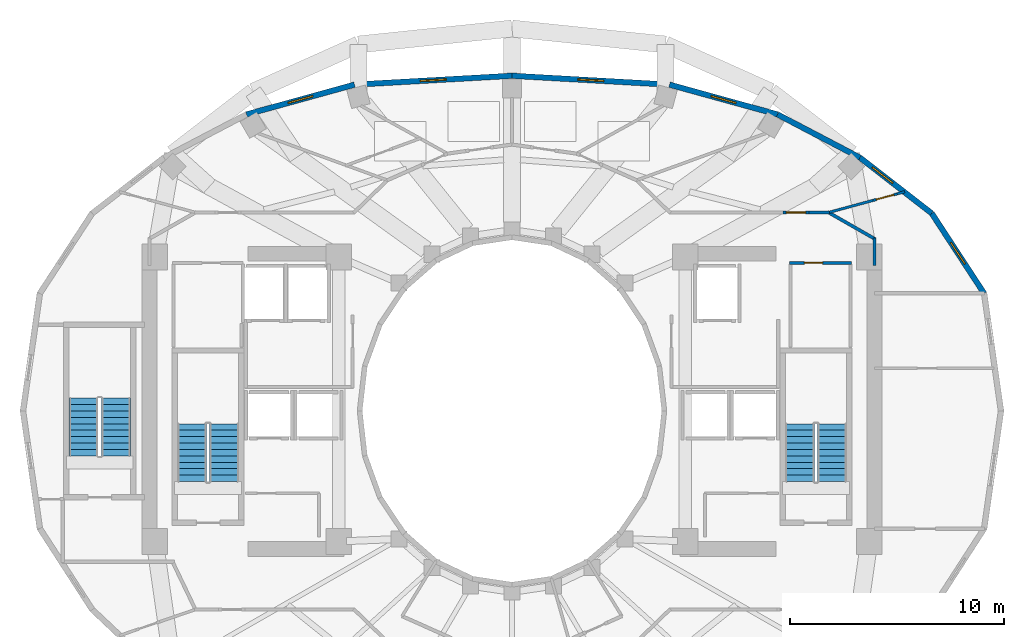
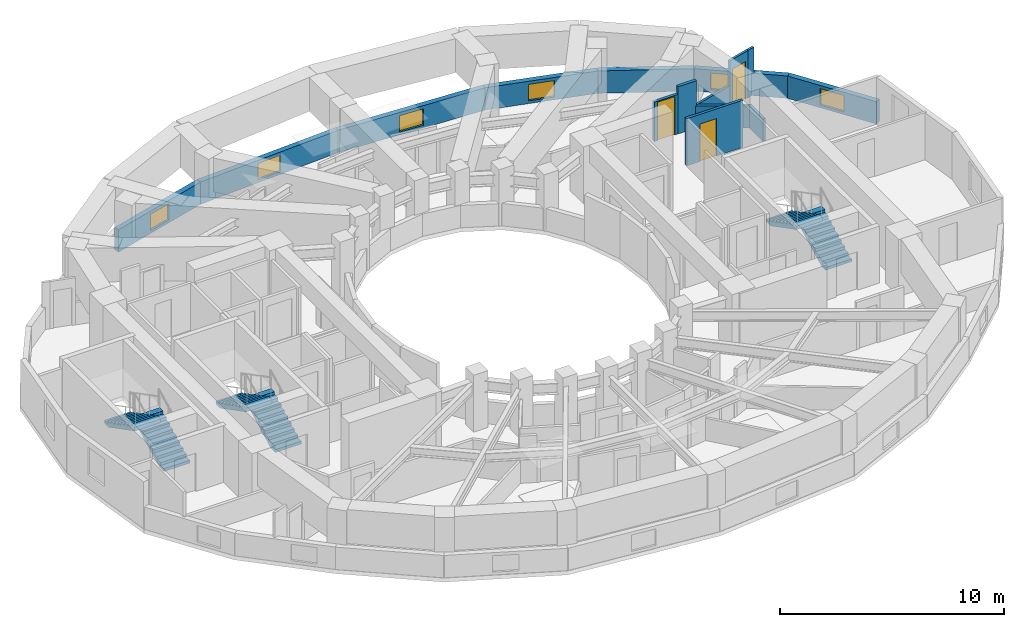
# One storey, part 7 of 9: 15 walls, 6 stair flights, 6 windows, 3 doors, 9 openings, 3 elements without a shape of their own.
"""IFC4 building model written with IfcOpenShell, lengths in metres."""

from ifc_helpers import new_model, si_unit, direction, frame, frame_2d, origin, place, context, subcontext, project, spatial, polyline, rectangle, outline, extrude, material, layer, layer_set, type_object, element, fill, aggregate, save


model = new_model("IFC4")

# Units and contexts
model_context = context("Model", 3, precision=1e-05, world=origin(), true_north=direction((0.0, 1.0)))
body_context = subcontext(model_context, "Body", "Model", "MODEL_VIEW")
ifc_project = project(units=[si_unit("LENGTHUNIT", "METRE"), si_unit("AREAUNIT", "SQUARE_METRE"), si_unit("VOLUMEUNIT", "CUBIC_METRE"), si_unit("PLANEANGLEUNIT", "RADIAN"), si_unit("MASSUNIT", "GRAM", prefix="KILO")], contexts=[model_context])

# Site, building, storey
site_placement = place(None, origin())
site = spatial("IfcSite", under=ifc_project, at=site_placement, CompositionType="ELEMENT")
building_placement = place(site_placement, origin())
building = spatial("IfcBuilding", under=site, at=building_placement, Name="Solvane Sanctuary Tower", CompositionType="ELEMENT")
storey_placement = place(building_placement, frame((0.0, 0.0, 140.5)))
storey = spatial("IfcBuildingStorey", under=building, at=storey_placement, Name="L42", CompositionType="ELEMENT", Elevation=140.5)

# Wall
ifc_material_1 = material(Name="Acoustic Gypsum Partition Board")
ifc_layer_1 = layer(ifc_material_1, 0.14990234375, Name="Acoustic Gypsum Partition Board")
ifc_layer_set_1 = layer_set([ifc_layer_1], Name="Acoustic Gypsum Partition Board")
wall_type_1 = type_object("IfcWallType", Name="Wall W-CORR-150", PredefinedType="PARTITIONING", material=ifc_layer_set_1)
wall_1_placement = place(storey_placement, frame((48.949951171875, 29.800048828125, 0.0), z_axis=(0.0, 0.0, 1.0), x_axis=(0.0, 1.0, 0.0)))
element("IfcWall", 1, at=wall_1_placement, inside=storey, type_object=wall_type_1, Name="L42 NE Corner Closer 1", PredefinedType="PARTITIONING", context=body_context, shape_type="SweptSolid", body=[
    extrude(rectangle(XDim=1.2900390625, YDim=0.14990234375, at=frame_2d((0.64501953125, 0.0))), origin(), (0.0, 0.0, 1.0), 1.219970703125),
])

# Wall, opening, door
wall_2_placement = place(storey_placement, frame((44.665771484375, 32.280029296875, 0.0), z_axis=(0.0, 0.0, 1.0), x_axis=(1.0, 0.0, 0.0)))
wall_2 = element("IfcWall", 2, at=wall_2_placement, inside=storey, type_object=wall_type_1, Name="L42 NE Corner Corridor Wall", PredefinedType="PARTITIONING", context=body_context, shape_type="SweptSolid", body=[
    extrude(rectangle(XDim=1.219970703125, YDim=0.14990234375, at=frame_2d((0.60986328125, 0.0))), origin(), (0.0, 0.0, 1.0), 2.159912109375),
])
opening_1_placement = place(wall_2_placement, frame((0.159912109375, 0.0, 0.0)))
opening_1 = element("IfcOpeningElement", 3, at=opening_1_placement, cuts=wall_2, Name="Opening D-L42-13", PredefinedType="OPENING", context=body_context, shape_type="SweptSolid", body=[
    extrude(rectangle(XDim=0.89990234375, YDim=2.10009765625, at=frame_2d((0.449951171875, 1.050048828125))), frame((0.0, 0.0849609375, 0.0), z_axis=(0.0, -1.0, 0.0), x_axis=(1.0, 0.0, 0.0)), (0.0, 0.0, 1.0), 0.169921875),
])
ifc_material_2 = material(Name="Engineered Tropical Hardwood", Category="wood")
door_type_1 = type_object("IfcDoorType", Name="Door D-WET-900", OperationType="NOTDEFINED", PredefinedType="DOOR", material=ifc_material_2)
door_1_placement = place(opening_1_placement, origin())
door_1 = element("IfcDoor", 4, at=door_1_placement, inside=storey, type_object=door_type_1, Name="L42 NE Corner Salon Door", OperationType="SINGLE_SWING_LEFT", OverallHeight=2.10009765625, OverallWidth=0.89990234375, PredefinedType="DOOR", context=body_context, shape_type="SweptSolid", body=[
    extrude(rectangle(XDim=0.89990234375, YDim=2.10009765625, at=frame_2d((0.449951171875, 1.050048828125))), frame((0.0, 0.02490234375, 0.0), z_axis=(0.0, -1.0, 0.0), x_axis=(1.0, 0.0, 0.0)), (0.0, 0.0, 1.0), 0.050048828125),
])
fill(opening_1, door_1)

# Walls
wall_3_placement = place(storey_placement, frame((45.8857421875, 32.280029296875, 0.0), z_axis=(0.0, 0.0, 1.0), x_axis=(1.0, 0.0, 0.0)))
element("IfcWall", 5, at=wall_3_placement, inside=storey, type_object=wall_type_1, Name="L42 NE Corner Corridor Wall", PredefinedType="PARTITIONING", context=body_context, shape_type="SweptSolid", body=[
    extrude(rectangle(XDim=0.96435546875, YDim=0.14990234375, at=frame_2d((0.482177734375, 0.0))), origin(), (0.0, 0.0, 1.0), 2.574951171875),
])
wall_4_placement = place(storey_placement, frame((46.756591796875, 32.3046875, 0.0), z_axis=(0.0, 0.0, 1.0), x_axis=(0.867991349648, -0.496579315857, 0.0)))
element("IfcWall", 6, at=wall_4_placement, inside=storey, type_object=wall_type_1, Name="L42 NE Corner Wing Wall", PredefinedType="PARTITIONING", context=body_context, shape_type="SweptSolid", body=[
    extrude(rectangle(XDim=2.56689453125, YDim=0.14990234375, at=frame_2d((1.283447265625, 0.0))), origin(), (0.0, 0.0, 1.0), 1.219970703125),
])

# Wall, opening, window
ifc_material_3 = material(Name="Precast concrete C40/50", Category="concrete")
ifc_layer_2 = layer(ifc_material_3, 0.260009765625, Name="Precast concrete C40/50")
ifc_layer_set_2 = layer_set([ifc_layer_2], Name="Precast concrete C40/50")
wall_type_2 = type_object("IfcWallType", Name="Wall W-EXT-250", PredefinedType="STANDARD", material=ifc_layer_set_2)
wall_5_placement = place(storey_placement, frame((54.0703125, 28.49658203125, 0.0), z_axis=(0.0, 0.0, 1.0), x_axis=(-0.547456494366, 0.836834145322, 0.0)))
wall_5 = element("IfcWall", 7, at=wall_5_placement, inside=storey, type_object=wall_type_2, Name="L42 Ceramic-Printed Facade Wall 01", PredefinedType="STANDARD", context=body_context, shape_type="SweptSolid", body=[
    extrude(rectangle(XDim=4.477294921875, YDim=0.260009765625, at=frame_2d((2.23876953125, 0.0))), origin(), (0.0, 0.0, 1.0), 1.219970703125),
])
opening_2_placement = place(wall_5_placement, frame((1.638671875, 0.0, 0.14990234375)))
opening_2 = element("IfcOpeningElement", 8, at=opening_2_placement, cuts=wall_5, Name="Opening WN-OPER-1200", PredefinedType="OPENING", context=body_context, shape_type="SweptSolid", body=[
    extrude(rectangle(XDim=1.199951171875, YDim=0.89990234375, at=frame_2d((0.60009765625, 0.449951171875))), frame((0.0, 0.139892578125, 0.0), z_axis=(0.0, -1.0, 0.0), x_axis=(1.0, 0.0, 0.0)), (0.0, 0.0, 1.0), 0.280029296875),
])
ifc_material_4 = material(Name="Dark Ceramic-Fritted Low-E Glass", Category="glass")
window_type = type_object("IfcWindowType", Name="Window WN-OPER-1200", PartitioningType="SINGLE_PANEL", PredefinedType="WINDOW", material=ifc_material_4)
window_1_placement = place(opening_2_placement, origin())
window_1 = element("IfcWindow", 9, at=window_1_placement, inside=storey, type_object=window_type, Name="L42 Operable Facade Window 01", OverallHeight=0.89990234375, OverallWidth=1.199951171875, PartitioningType="SINGLE_PANEL", PredefinedType="WINDOW", context=body_context, shape_type="SweptSolid", body=[
    extrude(rectangle(XDim=1.199951171875, YDim=0.89990234375, at=frame_2d((0.60009765625, 0.449951171875))), frame((0.0, 0.030029296875, 0.0), z_axis=(0.0, -1.0, 0.0), x_axis=(1.0, 0.0, 0.0)), (0.0, 0.0, 1.0), 0.06005859375),
])
fill(opening_2, window_1)

wall_6_placement = place(storey_placement, frame((51.619140625, 32.243408203125, 0.0), z_axis=(0.0, 0.0, 1.0), x_axis=(-0.790185650662, 0.612867552973, 0.0)))
wall_6 = element("IfcWall", 10, at=wall_6_placement, inside=storey, type_object=wall_type_2, Name="L42 Ceramic-Printed Facade Wall 02", PredefinedType="STANDARD", context=body_context, shape_type="SweptSolid", body=[
    extrude(rectangle(XDim=4.2392578125, YDim=0.260009765625, at=frame_2d((2.11962890625, 0.0))), origin(), (0.0, 0.0, 1.0), 1.219970703125),
])
opening_3_placement = place(wall_6_placement, frame((2.307861328125, 0.0, 0.14990234375)))
opening_3 = element("IfcOpeningElement", 11, at=opening_3_placement, cuts=wall_6, Name="Opening WN-OPER-1200", PredefinedType="OPENING", context=body_context, shape_type="SweptSolid", body=[
    extrude(rectangle(XDim=1.199951171875, YDim=0.89990234375, at=frame_2d((0.60009765625, 0.449951171875))), frame((0.0, 0.139892578125, 0.0), z_axis=(0.0, -1.0, 0.0), x_axis=(1.0, 0.0, 0.0)), (0.0, 0.0, 1.0), 0.280029296875),
])
window_2_placement = place(opening_3_placement, origin())
window_2 = element("IfcWindow", 12, at=window_2_placement, inside=storey, type_object=window_type, Name="L42 Operable Facade Window 02", OverallHeight=0.89990234375, OverallWidth=1.199951171875, PartitioningType="SINGLE_PANEL", PredefinedType="WINDOW", context=body_context, shape_type="SweptSolid", body=[
    extrude(rectangle(XDim=1.199951171875, YDim=0.89990234375, at=frame_2d((0.60009765625, 0.449951171875))), frame((0.0, 0.030029296875, 0.0), z_axis=(0.0, -1.0, 0.0), x_axis=(1.0, 0.0, 0.0)), (0.0, 0.0, 1.0), 0.06005859375),
])
fill(opening_3, window_2)

# Wall
wall_7_placement = place(storey_placement, frame((48.269287109375, 34.841552734375, 0.0), z_axis=(0.0, 0.0, 1.0), x_axis=(-0.885660265226, 0.464333818065, 0.0)))
element("IfcWall", 13, at=wall_7_placement, inside=storey, type_object=wall_type_2, Name="L42 Ceramic-Printed Facade Wall 03", PredefinedType="STANDARD", context=body_context, shape_type="SweptSolid", body=[
    extrude(rectangle(XDim=4.35400390625, YDim=0.260009765625, at=frame_2d((2.177001953125, 0.0))), origin(), (0.0, 0.0, 1.0), 1.219970703125),
])

# Wall, opening, window
wall_8_placement = place(storey_placement, frame((44.4130859375, 36.86328125, 0.0), z_axis=(0.0, 0.0, 1.0), x_axis=(-0.963953455704, 0.26607092144, 0.0)))
wall_8 = element("IfcWall", 14, at=wall_8_placement, inside=storey, type_object=wall_type_2, Name="L42 Ceramic-Printed Facade Wall 04", PredefinedType="STANDARD", context=body_context, shape_type="SweptSolid", body=[
    extrude(rectangle(XDim=5.236572265625, YDim=0.260009765625, at=frame_2d((2.6181640625, 0.0))), origin(), (0.0, 0.0, 1.0), 1.219970703125),
])
opening_4_placement = place(wall_8_placement, frame((2.018310546875, 0.0, 0.14990234375)))
opening_4 = element("IfcOpeningElement", 15, at=opening_4_placement, cuts=wall_8, Name="Opening WN-OPER-1200", PredefinedType="OPENING", context=body_context, shape_type="SweptSolid", body=[
    extrude(rectangle(XDim=1.199951171875, YDim=0.89990234375, at=frame_2d((0.60009765625, 0.449951171875))), frame((0.0, 0.139892578125, 0.0), z_axis=(0.0, -1.0, 0.0), x_axis=(1.0, 0.0, 0.0)), (0.0, 0.0, 1.0), 0.280029296875),
])
window_3_placement = place(opening_4_placement, origin())
window_3 = element("IfcWindow", 16, at=window_3_placement, inside=storey, type_object=window_type, Name="L42 Operable Facade Window 04", OverallHeight=0.89990234375, OverallWidth=1.199951171875, PartitioningType="SINGLE_PANEL", PredefinedType="WINDOW", context=body_context, shape_type="SweptSolid", body=[
    extrude(rectangle(XDim=1.199951171875, YDim=0.89990234375, at=frame_2d((0.60009765625, 0.449951171875))), frame((0.0, 0.030029296875, 0.0), z_axis=(0.0, -1.0, 0.0), x_axis=(1.0, 0.0, 0.0)), (0.0, 0.0, 1.0), 0.06005859375),
])
fill(opening_4, window_3)

wall_9_placement = place(storey_placement, frame((39.365234375, 38.256591796875, 0.0), z_axis=(0.0, 0.0, 1.0), x_axis=(-0.998417906562, 0.056228852534, 0.0)))
wall_9 = element("IfcWall", 17, at=wall_9_placement, inside=storey, type_object=wall_type_2, Name="L42 Ceramic-Printed Facade Wall 05", PredefinedType="STANDARD", context=body_context, shape_type="SweptSolid", body=[
    extrude(rectangle(XDim=7.376953125, YDim=0.260009765625, at=frame_2d((3.6884765625, 0.0))), origin(), (0.0, 0.0, 1.0), 1.219970703125),
])
opening_5_placement = place(wall_9_placement, frame((3.08837890625, 0.0, 0.14990234375)))
opening_5 = element("IfcOpeningElement", 18, at=opening_5_placement, cuts=wall_9, Name="Opening WN-OPER-1200", PredefinedType="OPENING", context=body_context, shape_type="SweptSolid", body=[
    extrude(rectangle(XDim=1.199951171875, YDim=0.89990234375, at=frame_2d((0.60009765625, 0.449951171875))), frame((0.0, 0.139892578125, 0.0), z_axis=(0.0, -1.0, 0.0), x_axis=(1.0, 0.0, 0.0)), (0.0, 0.0, 1.0), 0.280029296875),
])
window_4_placement = place(opening_5_placement, origin())
window_4 = element("IfcWindow", 19, at=window_4_placement, inside=storey, type_object=window_type, Name="L42 Operable Facade Window 05", OverallHeight=0.89990234375, OverallWidth=1.199951171875, PartitioningType="SINGLE_PANEL", PredefinedType="WINDOW", context=body_context, shape_type="SweptSolid", body=[
    extrude(rectangle(XDim=1.199951171875, YDim=0.89990234375, at=frame_2d((0.60009765625, 0.449951171875))), frame((0.0, 0.030029296875, 0.0), z_axis=(0.0, -1.0, 0.0), x_axis=(1.0, 0.0, 0.0)), (0.0, 0.0, 1.0), 0.06005859375),
])
fill(opening_5, window_4)

wall_10_placement = place(storey_placement, frame((32.0, 38.67138671875, 0.0), z_axis=(0.0, 0.0, 1.0), x_axis=(-0.998417906562, -0.056228852534, 0.0)))
wall_10 = element("IfcWall", 20, at=wall_10_placement, inside=storey, type_object=wall_type_2, Name="L42 Ceramic-Printed Facade Wall 06", PredefinedType="STANDARD", context=body_context, shape_type="SweptSolid", body=[
    extrude(rectangle(XDim=7.376953125, YDim=0.260009765625, at=frame_2d((3.6884765625, 0.0))), origin(), (0.0, 0.0, 1.0), 1.219970703125),
])
opening_6_placement = place(wall_10_placement, frame((3.08837890625, 0.0, 0.14990234375)))
opening_6 = element("IfcOpeningElement", 21, at=opening_6_placement, cuts=wall_10, Name="Opening WN-OPER-1200", PredefinedType="OPENING", context=body_context, shape_type="SweptSolid", body=[
    extrude(rectangle(XDim=1.199951171875, YDim=0.89990234375, at=frame_2d((0.60009765625, 0.449951171875))), frame((0.0, 0.139892578125, 0.0), z_axis=(0.0, -1.0, 0.0), x_axis=(1.0, 0.0, 0.0)), (0.0, 0.0, 1.0), 0.280029296875),
])
window_5_placement = place(opening_6_placement, origin())
window_5 = element("IfcWindow", 22, at=window_5_placement, inside=storey, type_object=window_type, Name="L42 Operable Facade Window 06", OverallHeight=0.89990234375, OverallWidth=1.199951171875, PartitioningType="SINGLE_PANEL", PredefinedType="WINDOW", context=body_context, shape_type="SweptSolid", body=[
    extrude(rectangle(XDim=1.199951171875, YDim=0.89990234375, at=frame_2d((0.60009765625, 0.449951171875))), frame((0.0, 0.030029296875, 0.0), z_axis=(0.0, -1.0, 0.0), x_axis=(1.0, 0.0, 0.0)), (0.0, 0.0, 1.0), 0.06005859375),
])
fill(opening_6, window_5)

wall_11_placement = place(storey_placement, frame((24.634765625, 38.256591796875, 0.0), z_axis=(0.0, 0.0, 1.0), x_axis=(-0.963953455704, -0.26607092144, 0.0)))
wall_11 = element("IfcWall", 23, at=wall_11_placement, inside=storey, type_object=wall_type_2, Name="L42 Ceramic-Printed Facade Wall 07", PredefinedType="STANDARD", context=body_context, shape_type="SweptSolid", body=[
    extrude(rectangle(XDim=5.236572265625, YDim=0.260009765625, at=frame_2d((2.6181640625, 0.0))), origin(), (0.0, 0.0, 1.0), 1.219970703125),
])
opening_7_placement = place(wall_11_placement, frame((2.018310546875, 0.0, 0.14990234375)))
opening_7 = element("IfcOpeningElement", 24, at=opening_7_placement, cuts=wall_11, Name="Opening WN-OPER-1200", PredefinedType="OPENING", context=body_context, shape_type="SweptSolid", body=[
    extrude(rectangle(XDim=1.199951171875, YDim=0.89990234375, at=frame_2d((0.60009765625, 0.449951171875))), frame((0.0, 0.139892578125, 0.0), z_axis=(0.0, -1.0, 0.0), x_axis=(1.0, 0.0, 0.0)), (0.0, 0.0, 1.0), 0.280029296875),
])
window_6_placement = place(opening_7_placement, origin())
window_6 = element("IfcWindow", 25, at=window_6_placement, inside=storey, type_object=window_type, Name="L42 Operable Facade Window 07", OverallHeight=0.89990234375, OverallWidth=1.199951171875, PartitioningType="SINGLE_PANEL", PredefinedType="WINDOW", context=body_context, shape_type="SweptSolid", body=[
    extrude(rectangle(XDim=1.199951171875, YDim=0.89990234375, at=frame_2d((0.60009765625, 0.449951171875))), frame((0.0, 0.030029296875, 0.0), z_axis=(0.0, -1.0, 0.0), x_axis=(1.0, 0.0, 0.0)), (0.0, 0.0, 1.0), 0.06005859375),
])
fill(opening_7, window_6)

# Wall
ifc_layer_3 = layer(ifc_material_1, 0.1201171875, Name="Acoustic Gypsum Partition Board")
ifc_layer_set_3 = layer_set([ifc_layer_3], Name="Acoustic Gypsum Partition Board")
wall_type_3 = type_object("IfcWallType", Name="Wall W-MOV-100", PredefinedType="MOVABLE", material=ifc_layer_set_3)
wall_12_placement = place(storey_placement, frame((46.751708984375, 32.266845703125, 0.0), z_axis=(0.0, 0.0, 1.0), x_axis=(0.964996026859, 0.262264500356, 0.0)))
element("IfcWall", 26, at=wall_12_placement, inside=storey, type_object=wall_type_3, Name="L42 NE Corner Suite Partition", PredefinedType="MOVABLE", context=body_context, shape_type="SweptSolid", body=[
    extrude(rectangle(XDim=2.204345703125, YDim=0.1201171875, at=frame_2d((1.10205078125, 0.0))), origin(), (0.0, 0.0, 1.0), 1.219970703125),
])

# Wall, opening, door
wall_13_placement = place(storey_placement, frame((48.87890625, 32.844970703125, 0.0), z_axis=(0.0, 0.0, 1.0), x_axis=(0.964994566257, 0.262269874548, 0.0)))
wall_13 = element("IfcWall", 27, at=wall_13_placement, inside=storey, type_object=wall_type_3, Name="L42 NE Corner Suite Partition", PredefinedType="MOVABLE", context=body_context, shape_type="SweptSolid", body=[
    extrude(rectangle(XDim=1.170166015625, YDim=0.1201171875, at=frame_2d((0.5849609375, 0.0))), origin(), (0.0, 0.0, 1.0), 2.574951171875),
])
opening_8_placement = place(wall_13_placement, frame((0.159912109375, 0.0, 0.0)))
opening_8 = element("IfcOpeningElement", 28, at=opening_8_placement, cuts=wall_13, Name="Opening D-L42-12", PredefinedType="OPENING", context=body_context, shape_type="SweptSolid", body=[
    extrude(rectangle(XDim=0.85009765625, YDim=2.050048828125, at=frame_2d((0.425048828125, 1.02490234375))), frame((0.0, 0.070068359375, 0.0), z_axis=(0.0, -1.0, 0.0), x_axis=(1.0, 0.0, 0.0)), (0.0, 0.0, 1.0), 0.14013671875),
])
ifc_material_5 = material(Name="Architectural Stainless Steel 316", Category="steel")
door_type_2 = type_object("IfcDoorType", Name="Door D-RISER", OperationType="NOTDEFINED", PredefinedType="DOOR", material=ifc_material_5)
door_2_placement = place(opening_8_placement, origin())
door_2 = element("IfcDoor", 29, at=door_2_placement, inside=storey, type_object=door_type_2, Name="L42 NE Corner Suite Door", OperationType="SINGLE_SWING_RIGHT", OverallHeight=2.050048828125, OverallWidth=0.85009765625, PredefinedType="DOOR", context=body_context, shape_type="SweptSolid", body=[
    extrude(rectangle(XDim=0.85009765625, YDim=2.050048828125, at=frame_2d((0.425048828125, 1.02490234375))), frame((0.0, 0.02490234375, 0.0), z_axis=(0.0, -1.0, 0.0), x_axis=(1.0, 0.0, 0.0)), (0.0, 0.0, 1.0), 0.050048828125),
])
fill(opening_8, door_2)

# Wall
wall_14_placement = place(storey_placement, frame((50.008056640625, 33.15185546875, 0.0), z_axis=(0.0, 0.0, 1.0), x_axis=(0.964996222189, 0.26226378164, 0.0)))
element("IfcWall", 30, at=wall_14_placement, inside=storey, type_object=wall_type_3, Name="L42 NE Corner Suite Partition", PredefinedType="MOVABLE", context=body_context, shape_type="SweptSolid", body=[
    extrude(rectangle(XDim=0.363037109375, YDim=0.1201171875, at=frame_2d((0.181640625, 0.0))), origin(), (0.0, 0.0, 1.0), 2.574951171875),
])

# Wall, opening, door
ifc_layer_4 = layer(ifc_material_1, 0.139892578125, Name="Acoustic Gypsum Partition Board")
ifc_layer_set_4 = layer_set([ifc_layer_4], Name="Acoustic Gypsum Partition Board")
wall_type_4 = type_object("IfcWallType", Name="Wall W-WET-140", PredefinedType="PLUMBINGWALL", material=ifc_layer_set_4)
wall_15_placement = place(storey_placement, frame((44.97998046875, 29.919921875, 0.0), z_axis=(0.0, 0.0, 1.0), x_axis=(1.0, 0.0, 0.0)))
wall_15 = element("IfcWall", 31, at=wall_15_placement, inside=storey, type_object=wall_type_4, Name="L42 Core Service Front Wall KE0", PredefinedType="PLUMBINGWALL", context=body_context, shape_type="SweptSolid", body=[
    extrude(rectangle(XDim=2.89990234375, YDim=0.139892578125, at=frame_2d((1.449951171875, 0.0))), origin(), (0.0, 0.0, 1.0), 2.574951171875),
])
opening_9_placement = place(wall_15_placement, frame((0.685546875, 0.0, 0.0)))
opening_9 = element("IfcOpeningElement", 32, at=opening_9_placement, cuts=wall_15, Name="Opening D-L42-09", PredefinedType="OPENING", context=body_context, shape_type="SweptSolid", body=[
    extrude(rectangle(XDim=0.85009765625, YDim=2.050048828125, at=frame_2d((0.425048828125, 1.02490234375))), frame((0.0, 0.079833984375, 0.0), z_axis=(0.0, -1.0, 0.0), x_axis=(1.0, 0.0, 0.0)), (0.0, 0.0, 1.0), 0.159912109375),
])
door_3_placement = place(opening_9_placement, origin())
door_3 = element("IfcDoor", 33, at=door_3_placement, inside=storey, type_object=door_type_2, Name="L42 Core Service Room Door KE0-1", OperationType="SINGLE_SWING_LEFT", OverallHeight=2.050048828125, OverallWidth=0.85009765625, PredefinedType="DOOR", context=body_context, shape_type="SweptSolid", body=[
    extrude(rectangle(XDim=0.85009765625, YDim=2.050048828125, at=frame_2d((0.425048828125, 1.02490234375))), frame((0.0, 0.02490234375, 0.0), z_axis=(0.0, -1.0, 0.0), x_axis=(1.0, 0.0, 0.0)), (0.0, 0.0, 1.0), 0.050048828125),
])
fill(opening_9, door_3)

# Stair, stair flights
ifc_material_6 = material(Name="Concrete C45/55", Category="concrete")
stair_type = type_object("IfcStairType", Name="Stair ST-TOW", PredefinedType="HALF_TURN_STAIR", material=ifc_material_6)
stair_1_placement = place(storey_placement, origin())
stair_1 = element("IfcStair", 34, at=stair_1_placement, inside=storey, type_object=stair_type, Name="L42 Exit Stair ST-1 West Core", PredefinedType="HALF_TURN_STAIR")
stair_flight_type = type_object("IfcStairFlightType", Name="StairFlight SF-TOW", PredefinedType="STRAIGHT", material=ifc_material_6)
stair_flight_1_placement = place(storey_placement, frame((18.544921875, 19.699951171875, 0.0), z_axis=(0.0, 0.0, 1.0), x_axis=(0.0, 1.0, 0.0)))
stair_flight_1 = element("IfcStairFlight", 35, at=stair_flight_1_placement, type_object=stair_flight_type, Name="ST-1 flight 1", NumberOfRisers=10, NumberOfTreads=9, PredefinedType="STRAIGHT", RiserHeight=0.155, TreadLength=0.3, context=body_context, shape_type="SweptSolid", body=[
    extrude(outline(polyline([(0.0, 0.0), (0.0, 0.155029296875), (0.300048828125, 0.155029296875), (0.300048828125, 0.31005859375), (0.60009765625, 0.31005859375), (0.60009765625, 0.465087890625), (0.89990234375, 0.465087890625), (0.89990234375, 0.6201171875), (1.199951171875, 0.6201171875), (1.199951171875, 0.77490234375), (1.5, 0.77490234375), (1.5, 0.929931640625), (1.800048828125, 0.929931640625), (1.800048828125, 1.0849609375), (2.10009765625, 1.0849609375), (2.10009765625, 1.239990234375), (2.39990234375, 1.239990234375), (2.39990234375, 1.39501953125), (2.699951171875, 1.39501953125), (2.699951171875, 1.550048828125), (2.699951171875, 1.1923828125), (0.39208984375, 0.0), (0.0, 0.0)])), frame((0.0, 0.675048828125, 0.0), z_axis=(0.0, -1.0, 0.0), x_axis=(1.0, 0.0, 0.0)), (0.0, 0.0, 1.0), 1.35009765625),
])
stair_flight_2_placement = place(storey_placement, frame((17.034912109375, 22.39990234375, 1.550048828125), z_axis=(0.0, 0.0, 1.0), x_axis=(0.0, -1.0, 0.0)))
stair_flight_2 = element("IfcStairFlight", 36, at=stair_flight_2_placement, type_object=stair_flight_type, Name="ST-1 flight 2", NumberOfRisers=10, NumberOfTreads=9, PredefinedType="STRAIGHT", RiserHeight=0.155, TreadLength=0.3, context=body_context, shape_type="SweptSolid", body=[
    extrude(outline(polyline([(0.0, 0.0), (0.0, 0.155029296875), (0.300048828125, 0.155029296875), (0.300048828125, 0.31005859375), (0.60009765625, 0.31005859375), (0.60009765625, 0.465087890625), (0.89990234375, 0.465087890625), (0.89990234375, 0.6201171875), (1.199951171875, 0.6201171875), (1.199951171875, 0.77490234375), (1.5, 0.77490234375), (1.5, 0.929931640625), (1.800048828125, 0.929931640625), (1.800048828125, 1.0849609375), (2.10009765625, 1.0849609375), (2.10009765625, 1.239990234375), (2.39990234375, 1.239990234375), (2.39990234375, 1.39501953125), (2.699951171875, 1.39501953125), (2.699951171875, 1.550048828125), (2.699951171875, 1.1923828125), (0.39208984375, 0.0), (0.0, 0.0)])), frame((0.0, 0.675048828125, 0.0), z_axis=(0.0, -1.0, 0.0), x_axis=(1.0, 0.0, 0.0)), (0.0, 0.0, 1.0), 1.35009765625),
])
aggregate(stair_1, [stair_flight_1, stair_flight_2])

stair_2_placement = place(storey_placement, origin())
stair_2 = element("IfcStair", 37, at=stair_2_placement, inside=storey, type_object=stair_type, Name="L42 Exit Stair ST-2 East Core", PredefinedType="HALF_TURN_STAIR")
stair_flight_3_placement = place(storey_placement, frame((46.965087890625, 19.699951171875, 0.0), z_axis=(0.0, 0.0, 1.0), x_axis=(0.0, 1.0, 0.0)))
stair_flight_3 = element("IfcStairFlight", 38, at=stair_flight_3_placement, type_object=stair_flight_type, Name="ST-2 flight 1", NumberOfRisers=10, NumberOfTreads=9, PredefinedType="STRAIGHT", RiserHeight=0.155, TreadLength=0.3, context=body_context, shape_type="SweptSolid", body=[
    extrude(outline(polyline([(0.0, 0.0), (0.0, 0.155029296875), (0.300048828125, 0.155029296875), (0.300048828125, 0.31005859375), (0.60009765625, 0.31005859375), (0.60009765625, 0.465087890625), (0.89990234375, 0.465087890625), (0.89990234375, 0.6201171875), (1.199951171875, 0.6201171875), (1.199951171875, 0.77490234375), (1.5, 0.77490234375), (1.5, 0.929931640625), (1.800048828125, 0.929931640625), (1.800048828125, 1.0849609375), (2.10009765625, 1.0849609375), (2.10009765625, 1.239990234375), (2.39990234375, 1.239990234375), (2.39990234375, 1.39501953125), (2.699951171875, 1.39501953125), (2.699951171875, 1.550048828125), (2.699951171875, 1.1923828125), (0.39208984375, 0.0), (0.0, 0.0)])), frame((0.0, 0.675048828125, 0.0), z_axis=(0.0, -1.0, 0.0), x_axis=(1.0, 0.0, 0.0)), (0.0, 0.0, 1.0), 1.35009765625),
])
stair_flight_4_placement = place(storey_placement, frame((45.455078125, 22.39990234375, 1.550048828125), z_axis=(0.0, 0.0, 1.0), x_axis=(0.0, -1.0, 0.0)))
stair_flight_4 = element("IfcStairFlight", 39, at=stair_flight_4_placement, type_object=stair_flight_type, Name="ST-2 flight 2", NumberOfRisers=10, NumberOfTreads=9, PredefinedType="STRAIGHT", RiserHeight=0.155, TreadLength=0.3, context=body_context, shape_type="SweptSolid", body=[
    extrude(outline(polyline([(0.0, 0.0), (0.0, 0.155029296875), (0.300048828125, 0.155029296875), (0.300048828125, 0.31005859375), (0.60009765625, 0.31005859375), (0.60009765625, 0.465087890625), (0.89990234375, 0.465087890625), (0.89990234375, 0.6201171875), (1.199951171875, 0.6201171875), (1.199951171875, 0.77490234375), (1.5, 0.77490234375), (1.5, 0.929931640625), (1.800048828125, 0.929931640625), (1.800048828125, 1.0849609375), (2.10009765625, 1.0849609375), (2.10009765625, 1.239990234375), (2.39990234375, 1.239990234375), (2.39990234375, 1.39501953125), (2.699951171875, 1.39501953125), (2.699951171875, 1.550048828125), (2.699951171875, 1.1923828125), (0.39208984375, 0.0), (0.0, 0.0)])), frame((0.0, 0.675048828125, 0.0), z_axis=(0.0, -1.0, 0.0), x_axis=(1.0, 0.0, 0.0)), (0.0, 0.0, 1.0), 1.35009765625),
])
aggregate(stair_2, [stair_flight_3, stair_flight_4])

stair_3_placement = place(storey_placement, origin())
stair_3 = element("IfcStair", 40, at=stair_3_placement, inside=storey, type_object=stair_type, Name="L42 Exit Stair ST-3 Pilgrim Tower Stair", PredefinedType="HALF_TURN_STAIR")
stair_flight_5_placement = place(storey_placement, frame((13.485107421875, 20.89990234375, 0.0), z_axis=(0.0, 0.0, 1.0), x_axis=(0.0, 1.0, 0.0)))
stair_flight_5 = element("IfcStairFlight", 41, at=stair_flight_5_placement, type_object=stair_flight_type, Name="ST-3 flight 1", NumberOfRisers=10, NumberOfTreads=9, PredefinedType="STRAIGHT", RiserHeight=0.155, TreadLength=0.3, context=body_context, shape_type="SweptSolid", body=[
    extrude(outline(polyline([(0.0, 0.0), (0.0, 0.155029296875), (0.300048828125, 0.155029296875), (0.300048828125, 0.31005859375), (0.60009765625, 0.31005859375), (0.60009765625, 0.465087890625), (0.89990234375, 0.465087890625), (0.89990234375, 0.6201171875), (1.199951171875, 0.6201171875), (1.199951171875, 0.77490234375), (1.5, 0.77490234375), (1.5, 0.929931640625), (1.800048828125, 0.929931640625), (1.800048828125, 1.0849609375), (2.10009765625, 1.0849609375), (2.10009765625, 1.239990234375), (2.39990234375, 1.239990234375), (2.39990234375, 1.39501953125), (2.699951171875, 1.39501953125), (2.699951171875, 1.550048828125), (2.699951171875, 1.1923828125), (0.39208984375, 0.0), (0.0, 0.0)])), frame((0.0, 0.675048828125, 0.0), z_axis=(0.0, -1.0, 0.0), x_axis=(1.0, 0.0, 0.0)), (0.0, 0.0, 1.0), 1.35009765625),
])
stair_flight_6_placement = place(storey_placement, frame((11.97509765625, 23.60009765625, 1.550048828125), z_axis=(0.0, 0.0, 1.0), x_axis=(0.0, -1.0, 0.0)))
stair_flight_6 = element("IfcStairFlight", 42, at=stair_flight_6_placement, type_object=stair_flight_type, Name="ST-3 flight 2", NumberOfRisers=10, NumberOfTreads=9, PredefinedType="STRAIGHT", RiserHeight=0.155, TreadLength=0.3, context=body_context, shape_type="SweptSolid", body=[
    extrude(outline(polyline([(0.0, 0.0), (0.0, 0.155029296875), (0.300048828125, 0.155029296875), (0.300048828125, 0.31005859375), (0.60009765625, 0.31005859375), (0.60009765625, 0.465087890625), (0.89990234375, 0.465087890625), (0.89990234375, 0.6201171875), (1.199951171875, 0.6201171875), (1.199951171875, 0.77490234375), (1.5, 0.77490234375), (1.5, 0.929931640625), (1.800048828125, 0.929931640625), (1.800048828125, 1.0849609375), (2.10009765625, 1.0849609375), (2.10009765625, 1.239990234375), (2.39990234375, 1.239990234375), (2.39990234375, 1.39501953125), (2.699951171875, 1.39501953125), (2.699951171875, 1.550048828125), (2.699951171875, 1.1923828125), (0.39208984375, 0.0), (0.0, 0.0)])), frame((0.0, 0.675048828125, 0.0), z_axis=(0.0, -1.0, 0.0), x_axis=(1.0, 0.0, 0.0)), (0.0, 0.0, 1.0), 1.35009765625),
])
aggregate(stair_3, [stair_flight_5, stair_flight_6])

save(model, "model.ifc")
